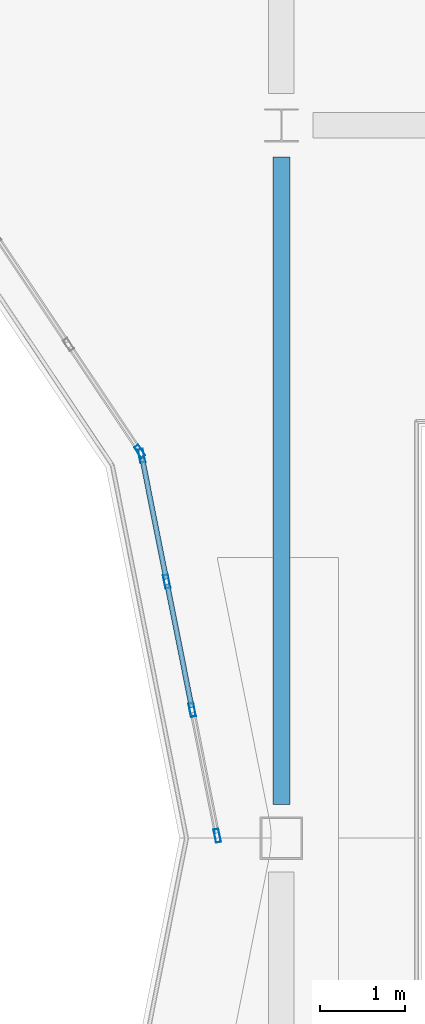
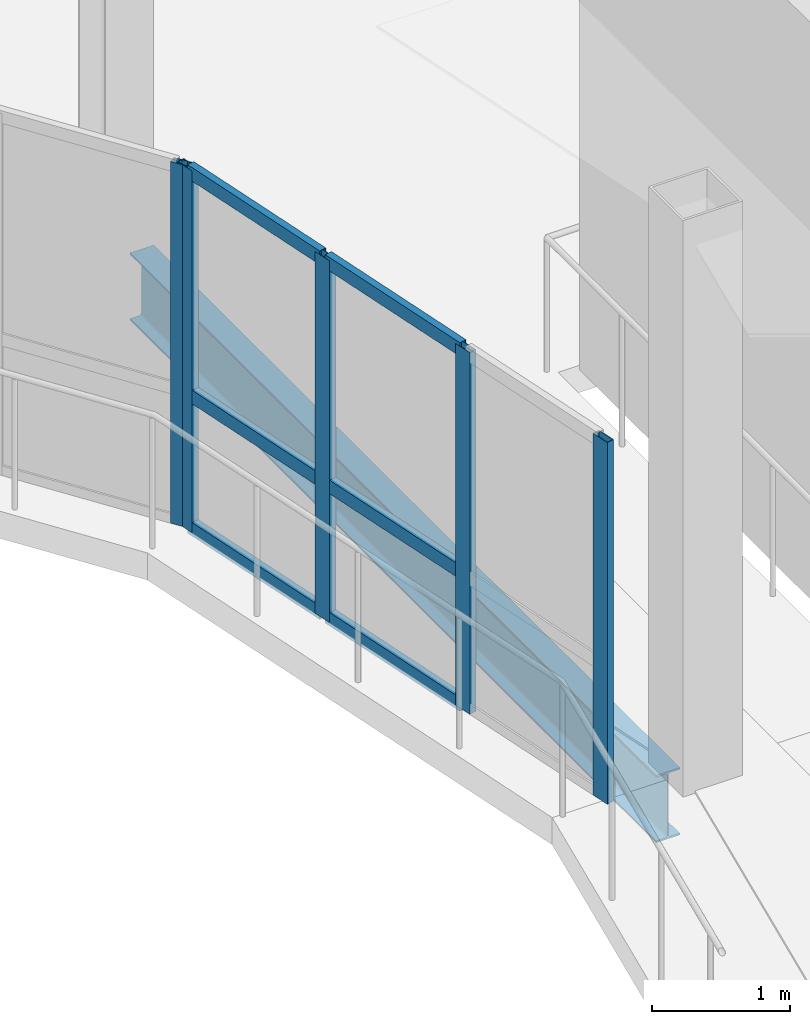
# One storey, part 22 of 104: 11 members, 1 beam, 2 elements without a shape of their own.
"""IFC4 building model written with IfcOpenShell, lengths in metres."""

from ifc_helpers import new_model, si_unit, direction, frame, origin, origin_2d, place, context, subcontext, project, spatial, hollow_rectangle, i_section, extrude, material, layer, layer_set, material_profile, profile_set, type_object, element, aggregate, save


model = new_model("IFC4")

# Units and contexts
model_context = context("Model", 3, precision=1e-05, world=origin(), true_north=direction((0.0, 1.0)))
body_context = subcontext(model_context, "Body", "Model", "MODEL_VIEW")
ifc_project = project(units=[si_unit("LENGTHUNIT", "METRE"), si_unit("AREAUNIT", "SQUARE_METRE"), si_unit("VOLUMEUNIT", "CUBIC_METRE"), si_unit("PLANEANGLEUNIT", "RADIAN"), si_unit("MASSUNIT", "GRAM", prefix="KILO"), si_unit("THERMODYNAMICTEMPERATUREUNIT", "KELVIN")], contexts=[model_context])

# Site, building, storey
site_placement = place(None, origin())
site = spatial("IfcSite", under=ifc_project, at=site_placement, CompositionType="ELEMENT")
building_placement = place(site_placement, origin())
building = spatial("IfcBuilding", under=site, at=building_placement, Name="Lustrewick Department Store", CompositionType="ELEMENT")
storey_placement = place(building_placement, frame((0.0, 0.0, 11.39990234375)))
storey = spatial("IfcBuildingStorey", under=building, at=storey_placement, Name="L03", CompositionType="ELEMENT", Elevation=11.39990234375)

# Curtain wall, members
ifc_material_1 = material(Name="Thermally broken aluminium 6063-T5", Category="aluminium")
ifc_layer_1 = layer(ifc_material_1, 0.159912109375, Name="Thermally broken aluminium 6063-T5")
ifc_layer_set_1 = layer_set([ifc_layer_1], Name="Thermally broken aluminium 6063-T5")
curtain_wall_type_1 = type_object("IfcCurtainWallType", Name="CW17", PredefinedType="NOTDEFINED", material=ifc_layer_set_1)
curtain_wall_1_placement = place(storey_placement, origin())
curtain_wall_1 = element("IfcCurtainWall", 1, at=curtain_wall_1_placement, inside=storey, type_object=curtain_wall_type_1, Name="L03 Atrium Glazed Screen CW17", PredefinedType="NOTDEFINED")
ifc_material_profile_1 = material_profile(ifc_material_1, hollow_rectangle(XDim=0.06005859375, YDim=0.159912109375, WallThickness=0.00390625, at=origin_2d()), Name="ALU-M 60x160x4")
ifc_profile_set_1 = profile_set([ifc_material_profile_1], Name="Thermally broken aluminium 6063-T5")
member_type_1 = type_object("IfcMemberType", Name="CW17-M1", PredefinedType="MULLION", material=ifc_profile_set_1)
member_1_placement = place(storey_placement, frame((41.244140625, 67.2294921875, 0.0), z_axis=(0.0, 0.0, 1.0), x_axis=(-0.980786430993, -0.195084537521, 0.0)))
member_1 = element("IfcMember", 2, at=member_1_placement, type_object=member_type_1, Name="CW17 mullion 1", PredefinedType="MULLION", context=body_context, shape_type="SweptSolid", body=[
    extrude(hollow_rectangle(XDim=0.06005859375, YDim=0.159912109375, WallThickness=0.00390625, at=origin_2d()), origin(), (0.0, 0.0, 1.0), 3.2001953125),
])
member_2_placement = place(storey_placement, frame((40.94921875, 68.711669921875, 0.0), z_axis=(0.0, 0.0, 1.0), x_axis=(-0.980786430993, -0.195084537521, 0.0)))
member_2 = element("IfcMember", 3, at=member_2_placement, type_object=member_type_1, Name="CW17 mullion 2", PredefinedType="MULLION", context=body_context, shape_type="SweptSolid", body=[
    extrude(hollow_rectangle(XDim=0.06005859375, YDim=0.159912109375, WallThickness=0.00390625, at=origin_2d()), origin(), (0.0, 0.0, 1.0), 3.2001953125),
])
member_3_placement = place(storey_placement, frame((40.648681640625, 70.22314453125, 0.0), z_axis=(0.0, 0.0, 1.0), x_axis=(-0.980786430993, -0.195084537521, 0.0)))
member_3 = element("IfcMember", 4, at=member_3_placement, type_object=member_type_1, Name="CW17 mullion 3", PredefinedType="MULLION", context=body_context, shape_type="SweptSolid", body=[
    extrude(hollow_rectangle(XDim=0.06005859375, YDim=0.159912109375, WallThickness=0.00390625, at=origin_2d()), origin(), (0.0, 0.0, 1.0), 3.2001953125),
])
member_4_placement = place(storey_placement, frame((40.353759765625, 71.705322265625, 0.0), z_axis=(0.0, 0.0, 1.0), x_axis=(-0.980786430993, -0.195084537521, 0.0)))
member_4 = element("IfcMember", 5, at=member_4_placement, type_object=member_type_1, Name="CW17 mullion 4", PredefinedType="MULLION", context=body_context, shape_type="SweptSolid", body=[
    extrude(hollow_rectangle(XDim=0.06005859375, YDim=0.159912109375, WallThickness=0.00390625, at=origin_2d()), origin(), (0.0, 0.0, 1.0), 3.2001953125),
])
ifc_material_profile_2 = material_profile(ifc_material_1, hollow_rectangle(XDim=0.06005859375, YDim=0.1201171875, WallThickness=0.00341796875, at=origin_2d()), Name="ALU-T 60x120x3.5")
ifc_profile_set_2 = profile_set([ifc_material_profile_2], Name="Thermally broken aluminium 6063-T5")
member_type_2 = type_object("IfcMemberType", Name="CW17-T1", PredefinedType="USERDEFINED", material=ifc_profile_set_2)
member_5_placement = place(storey_placement, frame((40.943359375, 68.740966796875, 0.030029296875), z_axis=(-0.194974982249, 0.980808215859, 0.0), x_axis=(-0.980808215859, -0.194974982249, 0.0)))
member_5 = element("IfcMember", 6, at=member_5_placement, type_object=member_type_2, Name="CW17 transom 2.1", ObjectType="TRANSOM", PredefinedType="USERDEFINED", context=body_context, shape_type="SweptSolid", body=[
    extrude(hollow_rectangle(XDim=0.06005859375, YDim=0.1201171875, WallThickness=0.00341796875, at=origin_2d()), origin(), (0.0, 0.0, 1.0), 1.481201171875),
])
member_6_placement = place(storey_placement, frame((40.943359375, 68.740966796875, 1.2001953125), z_axis=(-0.194974982249, 0.980808215859, 0.0), x_axis=(-0.980808215859, -0.194974982249, 0.0)))
member_6 = element("IfcMember", 7, at=member_6_placement, type_object=member_type_2, Name="CW17 transom 2.2", ObjectType="TRANSOM", PredefinedType="USERDEFINED", context=body_context, shape_type="SweptSolid", body=[
    extrude(hollow_rectangle(XDim=0.06005859375, YDim=0.1201171875, WallThickness=0.00341796875, at=origin_2d()), origin(), (0.0, 0.0, 1.0), 1.481201171875),
])
member_7_placement = place(storey_placement, frame((40.943359375, 68.740966796875, 3.170166015625), z_axis=(-0.194974982249, 0.980808215859, 0.0), x_axis=(-0.980808215859, -0.194974982249, 0.0)))
member_7 = element("IfcMember", 8, at=member_7_placement, type_object=member_type_2, Name="CW17 transom 2.3", ObjectType="TRANSOM", PredefinedType="USERDEFINED", context=body_context, shape_type="SweptSolid", body=[
    extrude(hollow_rectangle(XDim=0.06005859375, YDim=0.1201171875, WallThickness=0.00341796875, at=origin_2d()), origin(), (0.0, 0.0, 1.0), 1.481201171875),
])
member_8_placement = place(storey_placement, frame((40.642822265625, 70.252685546875, 0.030029296875), z_axis=(-0.195145487909, 0.980774305612, 0.0), x_axis=(-0.980774305612, -0.195145487909, 0.0)))
member_8 = element("IfcMember", 9, at=member_8_placement, type_object=member_type_2, Name="CW17 transom 3.1", ObjectType="TRANSOM", PredefinedType="USERDEFINED", context=body_context, shape_type="SweptSolid", body=[
    extrude(hollow_rectangle(XDim=0.06005859375, YDim=0.1201171875, WallThickness=0.00341796875, at=origin_2d()), origin(), (0.0, 0.0, 1.0), 1.451171875),
])
member_9_placement = place(storey_placement, frame((40.642822265625, 70.252685546875, 1.2001953125), z_axis=(-0.195145487909, 0.980774305612, 0.0), x_axis=(-0.980774305612, -0.195145487909, 0.0)))
member_9 = element("IfcMember", 10, at=member_9_placement, type_object=member_type_2, Name="CW17 transom 3.2", ObjectType="TRANSOM", PredefinedType="USERDEFINED", context=body_context, shape_type="SweptSolid", body=[
    extrude(hollow_rectangle(XDim=0.06005859375, YDim=0.1201171875, WallThickness=0.00341796875, at=origin_2d()), origin(), (0.0, 0.0, 1.0), 1.451171875),
])
member_10_placement = place(storey_placement, frame((40.642822265625, 70.252685546875, 3.170166015625), z_axis=(-0.195145487909, 0.980774305612, 0.0), x_axis=(-0.980774305612, -0.195145487909, 0.0)))
member_10 = element("IfcMember", 11, at=member_10_placement, type_object=member_type_2, Name="CW17 transom 3.3", ObjectType="TRANSOM", PredefinedType="USERDEFINED", context=body_context, shape_type="SweptSolid", body=[
    extrude(hollow_rectangle(XDim=0.06005859375, YDim=0.1201171875, WallThickness=0.00341796875, at=origin_2d()), origin(), (0.0, 0.0, 1.0), 1.451171875),
])
aggregate(curtain_wall_1, [member_1, member_2, member_3, member_4, member_5, member_6, member_7, member_8, member_9, member_10])

# Curtain wall, member
ifc_layer_2 = layer(ifc_material_1, 0.14990234375, Name="Thermally broken aluminium 6063-T5")
ifc_layer_set_2 = layer_set([ifc_layer_2], Name="Thermally broken aluminium 6063-T5")
curtain_wall_type_2 = type_object("IfcCurtainWallType", Name="CW18", PredefinedType="NOTDEFINED", material=ifc_layer_set_2)
curtain_wall_2_placement = place(storey_placement, origin())
curtain_wall_2 = element("IfcCurtainWall", 12, at=curtain_wall_2_placement, inside=storey, type_object=curtain_wall_type_2, Name="L03 Atrium Glazed Screen CW18", PredefinedType="NOTDEFINED")
ifc_material_profile_3 = material_profile(ifc_material_1, hollow_rectangle(XDim=0.06005859375, YDim=0.14990234375, WallThickness=0.00341796875, at=origin_2d()), Name="ALU-M 60x150x3.5")
ifc_profile_set_3 = profile_set([ifc_material_profile_3], Name="Thermally broken aluminium 6063-T5")
member_type_3 = type_object("IfcMemberType", Name="CW18-M1", PredefinedType="MULLION", material=ifc_profile_set_3)
member_11_placement = place(storey_placement, frame((40.331298828125, 71.759765625, 0.0), z_axis=(0.0, 0.0, 1.0), x_axis=(-0.831464212799, -0.555578313862, 0.0)))
member_11 = element("IfcMember", 13, at=member_11_placement, type_object=member_type_3, Name="CW18 mullion 1", PredefinedType="MULLION", context=body_context, shape_type="SweptSolid", body=[
    extrude(hollow_rectangle(XDim=0.06005859375, YDim=0.14990234375, WallThickness=0.00341796875, at=origin_2d()), origin(), (0.0, 0.0, 1.0), 3.2001953125),
])
aggregate(curtain_wall_2, [member_11])

# Beam
ifc_material_2 = material(Name="Structural steel Q355B", Category="steel")
ifc_material_profile_4 = material_profile(ifc_material_2, i_section(OverallWidth=0.198974609375, OverallDepth=0.595947265625, WebThickness=0.010009765625, FlangeThickness=0.014892578125, FilletRadius=0.01806640625, at=origin_2d()), Name="HN 596x199x10x15")
ifc_profile_set_4 = profile_set([ifc_material_profile_4], Name="Structural steel Q355B")
beam_type = type_object("IfcBeamType", Name="G15", PredefinedType="BEAM", material=ifc_profile_set_4)
beam_placement = place(storey_placement, frame((42.0, 67.60009765625, -0.552978515625), z_axis=(0.0, 1.0, 0.0), x_axis=(-1.0, 0.0, 0.0)))
element("IfcBeam", 14, at=beam_placement, inside=storey, type_object=beam_type, Name="L03 V1 Girder G15", PredefinedType="BEAM", context=body_context, shape_type="SweptSolid", body=[
    extrude(i_section(OverallWidth=0.198974609375, OverallDepth=0.595947265625, WebThickness=0.010009765625, FlangeThickness=0.014892578125, FilletRadius=0.01806640625, at=origin_2d()), origin(), (0.0, 0.0, 1.0), 7.625),
])

save(model, "model.ifc")
